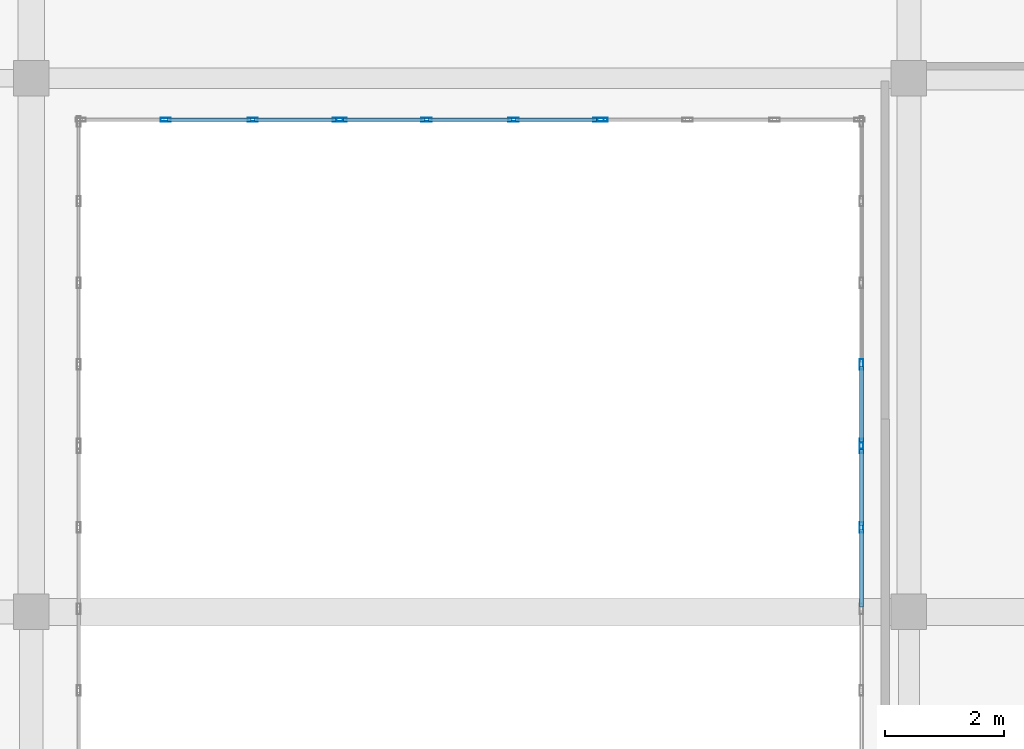
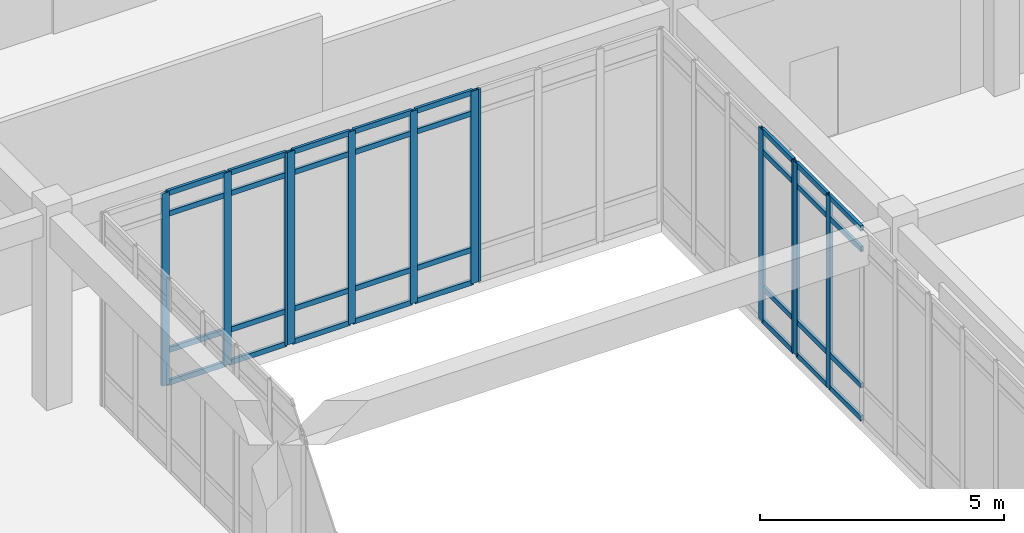
# One storey, part 67 of 121: 44 members, 5 elements without a shape of their own.
"""IFC4 building model written with IfcOpenShell, lengths in metres."""

from ifc_helpers import new_model, si_unit, direction, frame, origin, origin_2d, place, context, subcontext, project, spatial, hollow_rectangle, extrude, material, layer, layer_set, material_profile, profile_set, type_object, element, aggregate, save


model = new_model("IFC4")

# Units and contexts
model_context = context("Model", 3, precision=1e-05, world=origin(), true_north=direction((0.0, 1.0)))
body_context = subcontext(model_context, "Body", "Model", "MODEL_VIEW")
ifc_project = project(units=[si_unit("LENGTHUNIT", "METRE"), si_unit("AREAUNIT", "SQUARE_METRE"), si_unit("VOLUMEUNIT", "CUBIC_METRE"), si_unit("PLANEANGLEUNIT", "RADIAN"), si_unit("MASSUNIT", "GRAM", prefix="KILO")], contexts=[model_context])

# Site, building, storey
site_placement = place(None, origin())
site = spatial("IfcSite", under=ifc_project, at=site_placement, CompositionType="ELEMENT")
building_placement = place(site_placement, origin())
building = spatial("IfcBuilding", under=site, at=building_placement, Name="Valcora Specialist Clinic", CompositionType="ELEMENT")
storey_placement = place(building_placement, origin())
storey = spatial("IfcBuildingStorey", under=building, at=storey_placement, Name="L00", CompositionType="ELEMENT", Elevation=0.0)

# Curtain wall, members
ifc_material = material(Name="Anodized Bronze Aluminium 6063-T6", Category="aluminium")
ifc_layer = layer(ifc_material, 0.175048828125)
ifc_layer_set = layer_set([ifc_layer], Name="Anodized Bronze Aluminium 6063-T6")
curtain_wall_type = type_object("IfcCurtainWallType", Name="TY-CW-CRT15", PredefinedType="NOTDEFINED", material=ifc_layer_set)
curtain_wall_1_placement = place(storey_placement, origin())
curtain_wall_1 = element("IfcCurtainWall", 1, at=curtain_wall_1_placement, inside=storey, type_object=curtain_wall_type, Name="Curtain wall CW-L00-033", PredefinedType="NOTDEFINED")
ifc_material_profile_1 = material_profile(ifc_material, hollow_rectangle(XDim=0.06494140625, YDim=0.175048828125, WallThickness=0.00390625, at=origin_2d()), Name="AL-MUL-65X175")
ifc_profile_set_1 = profile_set([ifc_material_profile_1], Name="Anodized Bronze Aluminium 6063-T6")
member_type_1 = type_object("IfcMemberType", Name="TY-CWM-65X175", PredefinedType="MULLION", material=ifc_profile_set_1)
member_1_placement = place(storey_placement, frame((90.0, 91.625, 0.0), z_axis=(0.0, 0.0, 1.0), x_axis=(-1.0, 0.0, 0.0)))
member_1 = element("IfcMember", 2, at=member_1_placement, type_object=member_type_1, Name="CW-CRT-15 mullion 4", PredefinedType="MULLION", context=body_context, shape_type="SweptSolid", body=[
    extrude(hollow_rectangle(XDim=0.06494140625, YDim=0.175048828125, WallThickness=0.00390625, at=origin_2d()), origin(), (0.0, 0.0, 1.0), 4.81005859375),
])
member_2_placement = place(storey_placement, frame((90.0, 92.967529296875, 0.0), z_axis=(0.0, 0.0, 1.0), x_axis=(-1.0, 0.0, 0.0)))
member_2 = element("IfcMember", 3, at=member_2_placement, type_object=member_type_1, Name="CW-CRT-15 mullion 5", PredefinedType="MULLION", context=body_context, shape_type="SweptSolid", body=[
    extrude(hollow_rectangle(XDim=0.06494140625, YDim=0.175048828125, WallThickness=0.00390625, at=origin_2d()), origin(), (0.0, 0.0, 1.0), 4.81005859375),
])

curtain_wall_2_placement = place(storey_placement, origin())
curtain_wall_2 = element("IfcCurtainWall", 4, at=curtain_wall_2_placement, inside=storey, type_object=curtain_wall_type, Name="Curtain wall CW-L00-034", PredefinedType="NOTDEFINED")
member_3_placement = place(storey_placement, frame((90.0, 93.032470703125, 0.0), z_axis=(0.0, 0.0, 1.0), x_axis=(-1.0, 0.0, 0.0)))
member_3 = element("IfcMember", 5, at=member_3_placement, type_object=member_type_1, Name="CW-CRT-15 mullion 1", PredefinedType="MULLION", context=body_context, shape_type="SweptSolid", body=[
    extrude(hollow_rectangle(XDim=0.06494140625, YDim=0.175048828125, WallThickness=0.00390625, at=origin_2d()), origin(), (0.0, 0.0, 1.0), 4.81005859375),
])
member_4_placement = place(storey_placement, frame((90.0, 94.375, 0.0), z_axis=(0.0, 0.0, 1.0), x_axis=(-1.0, 0.0, 0.0)))
member_4 = element("IfcMember", 6, at=member_4_placement, type_object=member_type_1, Name="CW-CRT-15 mullion 2", PredefinedType="MULLION", context=body_context, shape_type="SweptSolid", body=[
    extrude(hollow_rectangle(XDim=0.06494140625, YDim=0.175048828125, WallThickness=0.00390625, at=origin_2d()), origin(), (0.0, 0.0, 1.0), 4.81005859375),
])

# Curtain wall, member
curtain_wall_3_placement = place(storey_placement, origin())
curtain_wall_3 = element("IfcCurtainWall", 7, at=curtain_wall_3_placement, inside=storey, type_object=curtain_wall_type, Name="Curtain wall CW-L00-035", PredefinedType="NOTDEFINED")
member_5_placement = place(storey_placement, frame((85.632568359375, 98.5, 0.0), z_axis=(0.0, 0.0, 1.0), x_axis=(0.0, -1.0, 0.0)))
member_5 = element("IfcMember", 8, at=member_5_placement, type_object=member_type_1, Name="CW-CRT-15 mullion 4", PredefinedType="MULLION", context=body_context, shape_type="SweptSolid", body=[
    extrude(hollow_rectangle(XDim=0.06494140625, YDim=0.175048828125, WallThickness=0.00390625, at=origin_2d()), origin(), (0.0, 0.0, 1.0), 4.81005859375),
])
aggregate(curtain_wall_3, [member_5])

# Curtain wall, members
curtain_wall_4_placement = place(storey_placement, origin())
curtain_wall_4 = element("IfcCurtainWall", 9, at=curtain_wall_4_placement, inside=storey, type_object=curtain_wall_type, Name="Curtain wall CW-L00-036", PredefinedType="NOTDEFINED")
member_6_placement = place(storey_placement, frame((85.5673828125, 98.5, 0.0), z_axis=(0.0, 0.0, 1.0), x_axis=(0.0, -1.0, 0.0)))
member_6 = element("IfcMember", 10, at=member_6_placement, type_object=member_type_1, Name="CW-CRT-15 mullion 1", PredefinedType="MULLION", context=body_context, shape_type="SweptSolid", body=[
    extrude(hollow_rectangle(XDim=0.06494140625, YDim=0.175048828125, WallThickness=0.00390625, at=origin_2d()), origin(), (0.0, 0.0, 1.0), 4.81005859375),
])
member_7_placement = place(storey_placement, frame((84.13330078125, 98.5, 0.0), z_axis=(0.0, 0.0, 1.0), x_axis=(0.0, -1.0, 0.0)))
member_7 = element("IfcMember", 11, at=member_7_placement, type_object=member_type_1, Name="CW-CRT-15 mullion 2", PredefinedType="MULLION", context=body_context, shape_type="SweptSolid", body=[
    extrude(hollow_rectangle(XDim=0.06494140625, YDim=0.175048828125, WallThickness=0.00390625, at=origin_2d()), origin(), (0.0, 0.0, 1.0), 4.81005859375),
])
member_8_placement = place(storey_placement, frame((82.666748046875, 98.5, 0.0), z_axis=(0.0, 0.0, 1.0), x_axis=(0.0, -1.0, 0.0)))
member_8 = element("IfcMember", 12, at=member_8_placement, type_object=member_type_1, Name="CW-CRT-15 mullion 3", PredefinedType="MULLION", context=body_context, shape_type="SweptSolid", body=[
    extrude(hollow_rectangle(XDim=0.06494140625, YDim=0.175048828125, WallThickness=0.00390625, at=origin_2d()), origin(), (0.0, 0.0, 1.0), 4.81005859375),
])
member_9_placement = place(storey_placement, frame((81.232421875, 98.5, 0.0), z_axis=(0.0, 0.0, 1.0), x_axis=(0.0, -1.0, 0.0)))
member_9 = element("IfcMember", 13, at=member_9_placement, type_object=member_type_1, Name="CW-CRT-15 mullion 4", PredefinedType="MULLION", context=body_context, shape_type="SweptSolid", body=[
    extrude(hollow_rectangle(XDim=0.06494140625, YDim=0.175048828125, WallThickness=0.00390625, at=origin_2d()), origin(), (0.0, 0.0, 1.0), 4.81005859375),
])

curtain_wall_5_placement = place(storey_placement, origin())
curtain_wall_5 = element("IfcCurtainWall", 14, at=curtain_wall_5_placement, inside=storey, type_object=curtain_wall_type, Name="Curtain wall CW-L00-037", PredefinedType="NOTDEFINED")
member_10_placement = place(storey_placement, frame((81.16748046875, 98.5, 0.0), z_axis=(0.0, 0.0, 1.0), x_axis=(0.0, -1.0, 0.0)))
member_10 = element("IfcMember", 15, at=member_10_placement, type_object=member_type_1, Name="CW-CRT-15 mullion 1", PredefinedType="MULLION", context=body_context, shape_type="SweptSolid", body=[
    extrude(hollow_rectangle(XDim=0.06494140625, YDim=0.175048828125, WallThickness=0.00390625, at=origin_2d()), origin(), (0.0, 0.0, 1.0), 4.81005859375),
])
member_11_placement = place(storey_placement, frame((79.7333984375, 98.5, 0.0), z_axis=(0.0, 0.0, 1.0), x_axis=(0.0, -1.0, 0.0)))
member_11 = element("IfcMember", 16, at=member_11_placement, type_object=member_type_1, Name="CW-CRT-15 mullion 2", PredefinedType="MULLION", context=body_context, shape_type="SweptSolid", body=[
    extrude(hollow_rectangle(XDim=0.06494140625, YDim=0.175048828125, WallThickness=0.00390625, at=origin_2d()), origin(), (0.0, 0.0, 1.0), 4.81005859375),
])
member_12_placement = place(storey_placement, frame((78.2666015625, 98.5, 0.0), z_axis=(0.0, 0.0, 1.0), x_axis=(0.0, -1.0, 0.0)))
member_12 = element("IfcMember", 17, at=member_12_placement, type_object=member_type_1, Name="CW-CRT-15 mullion 3", PredefinedType="MULLION", context=body_context, shape_type="SweptSolid", body=[
    extrude(hollow_rectangle(XDim=0.06494140625, YDim=0.175048828125, WallThickness=0.00390625, at=origin_2d()), origin(), (0.0, 0.0, 1.0), 4.81005859375),
])

# Member
ifc_material_profile_2 = material_profile(ifc_material, hollow_rectangle(XDim=0.06494140625, YDim=0.1298828125, WallThickness=0.00390625, at=origin_2d()), Name="AL-TRN-65X130")
ifc_profile_set_2 = profile_set([ifc_material_profile_2], Name="Anodized Bronze Aluminium 6063-T6")
member_type_2 = type_object("IfcMemberType", Name="TY-CWT-65X130", PredefinedType="USERDEFINED", material=ifc_profile_set_2)
member_13_placement = place(storey_placement, frame((90.0, 90.282470703125, 0.032470703125), z_axis=(0.0, 1.0, 0.0), x_axis=(-1.0, 0.0, 0.0)))
member_13 = element("IfcMember", 18, at=member_13_placement, type_object=member_type_2, Name="CW-CRT-15 transom 3.1", ObjectType="TRANSOM", PredefinedType="USERDEFINED", context=body_context, shape_type="SweptSolid", body=[
    extrude(hollow_rectangle(XDim=0.06494140625, YDim=0.1298828125, WallThickness=0.00390625, at=origin_2d()), origin(), (0.0, 0.0, 1.0), 1.31005859375),
])

member_14_placement = place(storey_placement, frame((90.0, 90.282470703125, 0.85009765625), z_axis=(0.0, 1.0, 0.0), x_axis=(-1.0, 0.0, 0.0)))
member_14 = element("IfcMember", 19, at=member_14_placement, type_object=member_type_2, Name="CW-CRT-15 transom 3.2", ObjectType="TRANSOM", PredefinedType="USERDEFINED", context=body_context, shape_type="SweptSolid", body=[
    extrude(hollow_rectangle(XDim=0.06494140625, YDim=0.1298828125, WallThickness=0.00390625, at=origin_2d()), origin(), (0.0, 0.0, 1.0), 1.31005859375),
])

member_15_placement = place(storey_placement, frame((90.0, 90.282470703125, 4.260009765625), z_axis=(0.0, 1.0, 0.0), x_axis=(-1.0, 0.0, 0.0)))
member_15 = element("IfcMember", 20, at=member_15_placement, type_object=member_type_2, Name="CW-CRT-15 transom 3.3", ObjectType="TRANSOM", PredefinedType="USERDEFINED", context=body_context, shape_type="SweptSolid", body=[
    extrude(hollow_rectangle(XDim=0.06494140625, YDim=0.1298828125, WallThickness=0.00390625, at=origin_2d()), origin(), (0.0, 0.0, 1.0), 1.31005859375),
])

member_16_placement = place(storey_placement, frame((90.0, 90.282470703125, 4.777587890625), z_axis=(0.0, 1.0, 0.0), x_axis=(-1.0, 0.0, 0.0)))
member_16 = element("IfcMember", 21, at=member_16_placement, type_object=member_type_2, Name="CW-CRT-15 transom 3.4", ObjectType="TRANSOM", PredefinedType="USERDEFINED", context=body_context, shape_type="SweptSolid", body=[
    extrude(hollow_rectangle(XDim=0.06494140625, YDim=0.1298828125, WallThickness=0.00390625, at=origin_2d()), origin(), (0.0, 0.0, 1.0), 1.31005859375),
])

member_17_placement = place(storey_placement, frame((90.0, 91.657470703125, 0.032470703125), z_axis=(0.0, 1.0, 0.0), x_axis=(-1.0, 0.0, 0.0)))
member_17 = element("IfcMember", 22, at=member_17_placement, type_object=member_type_2, Name="CW-CRT-15 transom 4.1", ObjectType="TRANSOM", PredefinedType="USERDEFINED", context=body_context, shape_type="SweptSolid", body=[
    extrude(hollow_rectangle(XDim=0.06494140625, YDim=0.1298828125, WallThickness=0.00390625, at=origin_2d()), origin(), (0.0, 0.0, 1.0), 1.277587890625),
])

member_18_placement = place(storey_placement, frame((90.0, 91.657470703125, 0.85009765625), z_axis=(0.0, 1.0, 0.0), x_axis=(-1.0, 0.0, 0.0)))
member_18 = element("IfcMember", 23, at=member_18_placement, type_object=member_type_2, Name="CW-CRT-15 transom 4.2", ObjectType="TRANSOM", PredefinedType="USERDEFINED", context=body_context, shape_type="SweptSolid", body=[
    extrude(hollow_rectangle(XDim=0.06494140625, YDim=0.1298828125, WallThickness=0.00390625, at=origin_2d()), origin(), (0.0, 0.0, 1.0), 1.277587890625),
])

member_19_placement = place(storey_placement, frame((90.0, 91.657470703125, 4.260009765625), z_axis=(0.0, 1.0, 0.0), x_axis=(-1.0, 0.0, 0.0)))
member_19 = element("IfcMember", 24, at=member_19_placement, type_object=member_type_2, Name="CW-CRT-15 transom 4.3", ObjectType="TRANSOM", PredefinedType="USERDEFINED", context=body_context, shape_type="SweptSolid", body=[
    extrude(hollow_rectangle(XDim=0.06494140625, YDim=0.1298828125, WallThickness=0.00390625, at=origin_2d()), origin(), (0.0, 0.0, 1.0), 1.277587890625),
])

member_20_placement = place(storey_placement, frame((90.0, 91.657470703125, 4.777587890625), z_axis=(0.0, 1.0, 0.0), x_axis=(-1.0, 0.0, 0.0)))
member_20 = element("IfcMember", 25, at=member_20_placement, type_object=member_type_2, Name="CW-CRT-15 transom 4.4", ObjectType="TRANSOM", PredefinedType="USERDEFINED", context=body_context, shape_type="SweptSolid", body=[
    extrude(hollow_rectangle(XDim=0.06494140625, YDim=0.1298828125, WallThickness=0.00390625, at=origin_2d()), origin(), (0.0, 0.0, 1.0), 1.277587890625),
])

aggregate(curtain_wall_1, [member_1, member_2, member_13, member_14, member_15, member_16, member_17, member_18, member_19, member_20])

member_21_placement = place(storey_placement, frame((90.0, 93.06494140625, 0.032470703125), z_axis=(0.0, 1.0, 0.0), x_axis=(-1.0, 0.0, 0.0)))
member_21 = element("IfcMember", 26, at=member_21_placement, type_object=member_type_2, Name="CW-CRT-15 transom 1.1", ObjectType="TRANSOM", PredefinedType="USERDEFINED", context=body_context, shape_type="SweptSolid", body=[
    extrude(hollow_rectangle(XDim=0.06494140625, YDim=0.1298828125, WallThickness=0.00390625, at=origin_2d()), origin(), (0.0, 0.0, 1.0), 1.277587890625),
])

member_22_placement = place(storey_placement, frame((90.0, 93.06494140625, 0.85009765625), z_axis=(0.0, 1.0, 0.0), x_axis=(-1.0, 0.0, 0.0)))
member_22 = element("IfcMember", 27, at=member_22_placement, type_object=member_type_2, Name="CW-CRT-15 transom 1.2", ObjectType="TRANSOM", PredefinedType="USERDEFINED", context=body_context, shape_type="SweptSolid", body=[
    extrude(hollow_rectangle(XDim=0.06494140625, YDim=0.1298828125, WallThickness=0.00390625, at=origin_2d()), origin(), (0.0, 0.0, 1.0), 1.277587890625),
])

member_23_placement = place(storey_placement, frame((90.0, 93.06494140625, 4.260009765625), z_axis=(0.0, 1.0, 0.0), x_axis=(-1.0, 0.0, 0.0)))
member_23 = element("IfcMember", 28, at=member_23_placement, type_object=member_type_2, Name="CW-CRT-15 transom 1.3", ObjectType="TRANSOM", PredefinedType="USERDEFINED", context=body_context, shape_type="SweptSolid", body=[
    extrude(hollow_rectangle(XDim=0.06494140625, YDim=0.1298828125, WallThickness=0.00390625, at=origin_2d()), origin(), (0.0, 0.0, 1.0), 1.277587890625),
])

member_24_placement = place(storey_placement, frame((90.0, 93.06494140625, 4.777587890625), z_axis=(0.0, 1.0, 0.0), x_axis=(-1.0, 0.0, 0.0)))
member_24 = element("IfcMember", 29, at=member_24_placement, type_object=member_type_2, Name="CW-CRT-15 transom 1.4", ObjectType="TRANSOM", PredefinedType="USERDEFINED", context=body_context, shape_type="SweptSolid", body=[
    extrude(hollow_rectangle(XDim=0.06494140625, YDim=0.1298828125, WallThickness=0.00390625, at=origin_2d()), origin(), (0.0, 0.0, 1.0), 1.277587890625),
])

aggregate(curtain_wall_2, [member_3, member_4, member_21, member_22, member_23, member_24])

member_25_placement = place(storey_placement, frame((85.534912109375, 98.5, 0.032470703125), z_axis=(-1.0, 0.0, 0.0), x_axis=(0.0, -1.0, 0.0)))
member_25 = element("IfcMember", 30, at=member_25_placement, type_object=member_type_2, Name="CW-CRT-15 transom 1.1", ObjectType="TRANSOM", PredefinedType="USERDEFINED", context=body_context, shape_type="SweptSolid", body=[
    extrude(hollow_rectangle(XDim=0.06494140625, YDim=0.1298828125, WallThickness=0.00390625, at=origin_2d()), origin(), (0.0, 0.0, 1.0), 1.369140625),
])

member_26_placement = place(storey_placement, frame((85.534912109375, 98.5, 0.85009765625), z_axis=(-1.0, 0.0, 0.0), x_axis=(0.0, -1.0, 0.0)))
member_26 = element("IfcMember", 31, at=member_26_placement, type_object=member_type_2, Name="CW-CRT-15 transom 1.2", ObjectType="TRANSOM", PredefinedType="USERDEFINED", context=body_context, shape_type="SweptSolid", body=[
    extrude(hollow_rectangle(XDim=0.06494140625, YDim=0.1298828125, WallThickness=0.00390625, at=origin_2d()), origin(), (0.0, 0.0, 1.0), 1.369140625),
])

member_27_placement = place(storey_placement, frame((85.534912109375, 98.5, 4.260009765625), z_axis=(-1.0, 0.0, 0.0), x_axis=(0.0, -1.0, 0.0)))
member_27 = element("IfcMember", 32, at=member_27_placement, type_object=member_type_2, Name="CW-CRT-15 transom 1.3", ObjectType="TRANSOM", PredefinedType="USERDEFINED", context=body_context, shape_type="SweptSolid", body=[
    extrude(hollow_rectangle(XDim=0.06494140625, YDim=0.1298828125, WallThickness=0.00390625, at=origin_2d()), origin(), (0.0, 0.0, 1.0), 1.369140625),
])

member_28_placement = place(storey_placement, frame((85.534912109375, 98.5, 4.777587890625), z_axis=(-1.0, 0.0, 0.0), x_axis=(0.0, -1.0, 0.0)))
member_28 = element("IfcMember", 33, at=member_28_placement, type_object=member_type_2, Name="CW-CRT-15 transom 1.4", ObjectType="TRANSOM", PredefinedType="USERDEFINED", context=body_context, shape_type="SweptSolid", body=[
    extrude(hollow_rectangle(XDim=0.06494140625, YDim=0.1298828125, WallThickness=0.00390625, at=origin_2d()), origin(), (0.0, 0.0, 1.0), 1.369140625),
])

member_29_placement = place(storey_placement, frame((84.100830078125, 98.5, 0.032470703125), z_axis=(-1.0, 0.0, 0.0), x_axis=(0.0, -1.0, 0.0)))
member_29 = element("IfcMember", 34, at=member_29_placement, type_object=member_type_2, Name="CW-CRT-15 transom 2.1", ObjectType="TRANSOM", PredefinedType="USERDEFINED", context=body_context, shape_type="SweptSolid", body=[
    extrude(hollow_rectangle(XDim=0.06494140625, YDim=0.1298828125, WallThickness=0.00390625, at=origin_2d()), origin(), (0.0, 0.0, 1.0), 1.401611328125),
])

member_30_placement = place(storey_placement, frame((84.100830078125, 98.5, 0.85009765625), z_axis=(-1.0, 0.0, 0.0), x_axis=(0.0, -1.0, 0.0)))
member_30 = element("IfcMember", 35, at=member_30_placement, type_object=member_type_2, Name="CW-CRT-15 transom 2.2", ObjectType="TRANSOM", PredefinedType="USERDEFINED", context=body_context, shape_type="SweptSolid", body=[
    extrude(hollow_rectangle(XDim=0.06494140625, YDim=0.1298828125, WallThickness=0.00390625, at=origin_2d()), origin(), (0.0, 0.0, 1.0), 1.401611328125),
])

member_31_placement = place(storey_placement, frame((84.100830078125, 98.5, 4.260009765625), z_axis=(-1.0, 0.0, 0.0), x_axis=(0.0, -1.0, 0.0)))
member_31 = element("IfcMember", 36, at=member_31_placement, type_object=member_type_2, Name="CW-CRT-15 transom 2.3", ObjectType="TRANSOM", PredefinedType="USERDEFINED", context=body_context, shape_type="SweptSolid", body=[
    extrude(hollow_rectangle(XDim=0.06494140625, YDim=0.1298828125, WallThickness=0.00390625, at=origin_2d()), origin(), (0.0, 0.0, 1.0), 1.401611328125),
])

member_32_placement = place(storey_placement, frame((84.100830078125, 98.5, 4.777587890625), z_axis=(-1.0, 0.0, 0.0), x_axis=(0.0, -1.0, 0.0)))
member_32 = element("IfcMember", 37, at=member_32_placement, type_object=member_type_2, Name="CW-CRT-15 transom 2.4", ObjectType="TRANSOM", PredefinedType="USERDEFINED", context=body_context, shape_type="SweptSolid", body=[
    extrude(hollow_rectangle(XDim=0.06494140625, YDim=0.1298828125, WallThickness=0.00390625, at=origin_2d()), origin(), (0.0, 0.0, 1.0), 1.401611328125),
])

member_33_placement = place(storey_placement, frame((82.63427734375, 98.5, 0.032470703125), z_axis=(-1.0, 0.0, 0.0), x_axis=(0.0, -1.0, 0.0)))
member_33 = element("IfcMember", 38, at=member_33_placement, type_object=member_type_2, Name="CW-CRT-15 transom 3.1", ObjectType="TRANSOM", PredefinedType="USERDEFINED", context=body_context, shape_type="SweptSolid", body=[
    extrude(hollow_rectangle(XDim=0.06494140625, YDim=0.1298828125, WallThickness=0.00390625, at=origin_2d()), origin(), (0.0, 0.0, 1.0), 1.369384765625),
])

member_34_placement = place(storey_placement, frame((82.63427734375, 98.5, 0.85009765625), z_axis=(-1.0, 0.0, 0.0), x_axis=(0.0, -1.0, 0.0)))
member_34 = element("IfcMember", 39, at=member_34_placement, type_object=member_type_2, Name="CW-CRT-15 transom 3.2", ObjectType="TRANSOM", PredefinedType="USERDEFINED", context=body_context, shape_type="SweptSolid", body=[
    extrude(hollow_rectangle(XDim=0.06494140625, YDim=0.1298828125, WallThickness=0.00390625, at=origin_2d()), origin(), (0.0, 0.0, 1.0), 1.369384765625),
])

member_35_placement = place(storey_placement, frame((82.63427734375, 98.5, 4.260009765625), z_axis=(-1.0, 0.0, 0.0), x_axis=(0.0, -1.0, 0.0)))
member_35 = element("IfcMember", 40, at=member_35_placement, type_object=member_type_2, Name="CW-CRT-15 transom 3.3", ObjectType="TRANSOM", PredefinedType="USERDEFINED", context=body_context, shape_type="SweptSolid", body=[
    extrude(hollow_rectangle(XDim=0.06494140625, YDim=0.1298828125, WallThickness=0.00390625, at=origin_2d()), origin(), (0.0, 0.0, 1.0), 1.369384765625),
])

member_36_placement = place(storey_placement, frame((82.63427734375, 98.5, 4.777587890625), z_axis=(-1.0, 0.0, 0.0), x_axis=(0.0, -1.0, 0.0)))
member_36 = element("IfcMember", 41, at=member_36_placement, type_object=member_type_2, Name="CW-CRT-15 transom 3.4", ObjectType="TRANSOM", PredefinedType="USERDEFINED", context=body_context, shape_type="SweptSolid", body=[
    extrude(hollow_rectangle(XDim=0.06494140625, YDim=0.1298828125, WallThickness=0.00390625, at=origin_2d()), origin(), (0.0, 0.0, 1.0), 1.369384765625),
])

aggregate(curtain_wall_4, [member_6, member_7, member_8, member_9, member_25, member_26, member_27, member_28, member_29, member_30, member_31, member_32, member_33, member_34, member_35, member_36])

member_37_placement = place(storey_placement, frame((81.135009765625, 98.5, 0.032470703125), z_axis=(-1.0, 0.0, 0.0), x_axis=(0.0, -1.0, 0.0)))
member_37 = element("IfcMember", 42, at=member_37_placement, type_object=member_type_2, Name="CW-CRT-15 transom 1.1", ObjectType="TRANSOM", PredefinedType="USERDEFINED", context=body_context, shape_type="SweptSolid", body=[
    extrude(hollow_rectangle(XDim=0.06494140625, YDim=0.1298828125, WallThickness=0.00390625, at=origin_2d()), origin(), (0.0, 0.0, 1.0), 1.369140625),
])

member_38_placement = place(storey_placement, frame((81.135009765625, 98.5, 0.85009765625), z_axis=(-1.0, 0.0, 0.0), x_axis=(0.0, -1.0, 0.0)))
member_38 = element("IfcMember", 43, at=member_38_placement, type_object=member_type_2, Name="CW-CRT-15 transom 1.2", ObjectType="TRANSOM", PredefinedType="USERDEFINED", context=body_context, shape_type="SweptSolid", body=[
    extrude(hollow_rectangle(XDim=0.06494140625, YDim=0.1298828125, WallThickness=0.00390625, at=origin_2d()), origin(), (0.0, 0.0, 1.0), 1.369140625),
])

member_39_placement = place(storey_placement, frame((81.135009765625, 98.5, 4.260009765625), z_axis=(-1.0, 0.0, 0.0), x_axis=(0.0, -1.0, 0.0)))
member_39 = element("IfcMember", 44, at=member_39_placement, type_object=member_type_2, Name="CW-CRT-15 transom 1.3", ObjectType="TRANSOM", PredefinedType="USERDEFINED", context=body_context, shape_type="SweptSolid", body=[
    extrude(hollow_rectangle(XDim=0.06494140625, YDim=0.1298828125, WallThickness=0.00390625, at=origin_2d()), origin(), (0.0, 0.0, 1.0), 1.369140625),
])

member_40_placement = place(storey_placement, frame((81.135009765625, 98.5, 4.777587890625), z_axis=(-1.0, 0.0, 0.0), x_axis=(0.0, -1.0, 0.0)))
member_40 = element("IfcMember", 45, at=member_40_placement, type_object=member_type_2, Name="CW-CRT-15 transom 1.4", ObjectType="TRANSOM", PredefinedType="USERDEFINED", context=body_context, shape_type="SweptSolid", body=[
    extrude(hollow_rectangle(XDim=0.06494140625, YDim=0.1298828125, WallThickness=0.00390625, at=origin_2d()), origin(), (0.0, 0.0, 1.0), 1.369140625),
])

member_41_placement = place(storey_placement, frame((79.700927734375, 98.5, 0.032470703125), z_axis=(-1.0, 0.0, 0.0), x_axis=(0.0, -1.0, 0.0)))
member_41 = element("IfcMember", 46, at=member_41_placement, type_object=member_type_2, Name="CW-CRT-15 transom 2.1", ObjectType="TRANSOM", PredefinedType="USERDEFINED", context=body_context, shape_type="SweptSolid", body=[
    extrude(hollow_rectangle(XDim=0.06494140625, YDim=0.1298828125, WallThickness=0.00390625, at=origin_2d()), origin(), (0.0, 0.0, 1.0), 1.40185546875),
])

member_42_placement = place(storey_placement, frame((79.700927734375, 98.5, 0.85009765625), z_axis=(-1.0, 0.0, 0.0), x_axis=(0.0, -1.0, 0.0)))
member_42 = element("IfcMember", 47, at=member_42_placement, type_object=member_type_2, Name="CW-CRT-15 transom 2.2", ObjectType="TRANSOM", PredefinedType="USERDEFINED", context=body_context, shape_type="SweptSolid", body=[
    extrude(hollow_rectangle(XDim=0.06494140625, YDim=0.1298828125, WallThickness=0.00390625, at=origin_2d()), origin(), (0.0, 0.0, 1.0), 1.40185546875),
])

member_43_placement = place(storey_placement, frame((79.700927734375, 98.5, 4.260009765625), z_axis=(-1.0, 0.0, 0.0), x_axis=(0.0, -1.0, 0.0)))
member_43 = element("IfcMember", 48, at=member_43_placement, type_object=member_type_2, Name="CW-CRT-15 transom 2.3", ObjectType="TRANSOM", PredefinedType="USERDEFINED", context=body_context, shape_type="SweptSolid", body=[
    extrude(hollow_rectangle(XDim=0.06494140625, YDim=0.1298828125, WallThickness=0.00390625, at=origin_2d()), origin(), (0.0, 0.0, 1.0), 1.40185546875),
])

member_44_placement = place(storey_placement, frame((79.700927734375, 98.5, 4.777587890625), z_axis=(-1.0, 0.0, 0.0), x_axis=(0.0, -1.0, 0.0)))
member_44 = element("IfcMember", 49, at=member_44_placement, type_object=member_type_2, Name="CW-CRT-15 transom 2.4", ObjectType="TRANSOM", PredefinedType="USERDEFINED", context=body_context, shape_type="SweptSolid", body=[
    extrude(hollow_rectangle(XDim=0.06494140625, YDim=0.1298828125, WallThickness=0.00390625, at=origin_2d()), origin(), (0.0, 0.0, 1.0), 1.40185546875),
])

aggregate(curtain_wall_5, [member_10, member_11, member_12, member_37, member_38, member_39, member_40, member_41, member_42, member_43, member_44])

save(model, "model.ifc")
